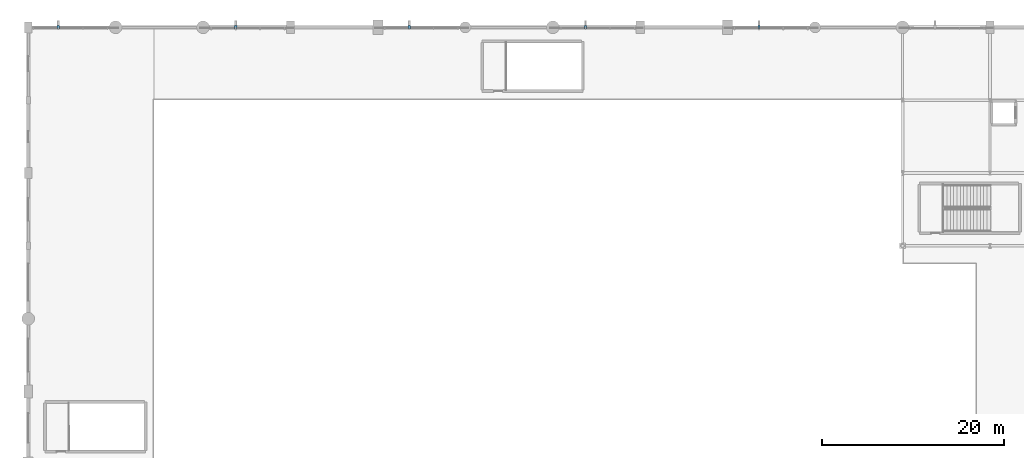
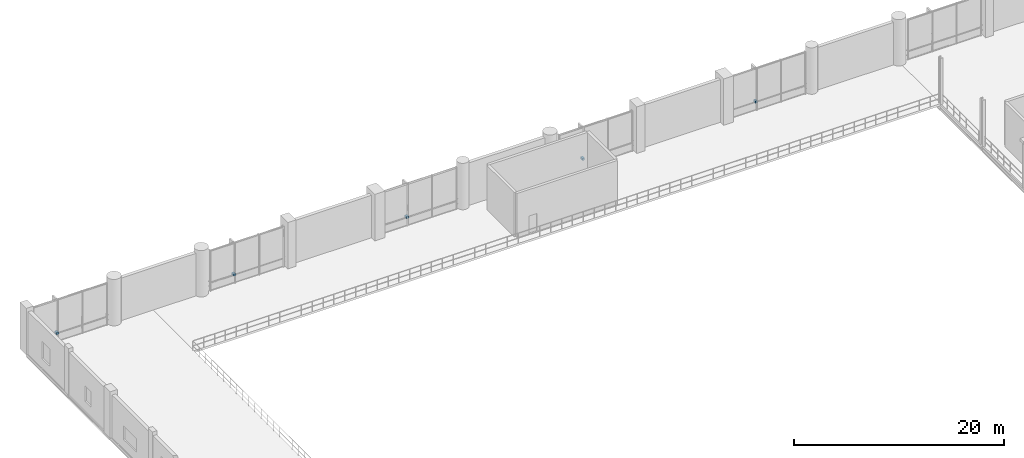
# One storey, part 99 of 129: 5 discrete accessories.
"""IFC4 building model written with IfcOpenShell, lengths in metres."""

from ifc_helpers import new_model, si_unit, direction, frame, origin, origin_2d, place, context, subcontext, project, spatial, rectangle, extrude, material, type_object, element, save


model = new_model("IFC4")

# Units and contexts
model_context = context("Model", 3, precision=1e-05, world=origin(), true_north=direction((0.0, 1.0)))
body_context = subcontext(model_context, "Body", "Model", "MODEL_VIEW")
ifc_project = project(units=[si_unit("LENGTHUNIT", "METRE"), si_unit("AREAUNIT", "SQUARE_METRE"), si_unit("VOLUMEUNIT", "CUBIC_METRE"), si_unit("PLANEANGLEUNIT", "RADIAN"), si_unit("MASSUNIT", "GRAM", prefix="KILO")], contexts=[model_context])

# Site, building, storey
site_placement = place(None, origin())
site = spatial("IfcSite", under=ifc_project, at=site_placement, CompositionType="ELEMENT")
building_placement = place(site_placement, origin())
building = spatial("IfcBuilding", under=site, at=building_placement, Name="Danafjord Basin Convention Centre", CompositionType="ELEMENT")
storey_placement = place(building_placement, frame((0.0, 0.0, 6.0)))
storey = spatial("IfcBuildingStorey", under=building, at=storey_placement, Name="L01", CompositionType="ELEMENT", Elevation=6.0)

# Discrete accessories
ifc_material = material(Name="Stainless steel EN 1.4404", Category="steel")
discrete_accessory_type = type_object("IfcDiscreteAccessoryType", Name="ACC-FIN-BRK", PredefinedType="BRACKET", material=ifc_material)
for number, where, z_axis, x_axis, name in (
    (1, (3.300048828125, 144.0, 0.830078125), (0.0, 0.0, 1.0), (1.0, 0.0, 0.0), "Solar fin stainless-steel mounting bracket"),
    (2, (22.783203125, 144.0, 0.830078125), (0.0, 0.0, 1.0), (1.0, 0.0, 0.0), "Solar fin stainless-steel mounting bracket"),
    (3, (41.833251953125, 144.0, 0.830078125), (0.0, 0.0, 1.0), (1.0, 0.0, 0.0), "Solar fin stainless-steel mounting bracket"),
    (4, (61.183349609375, 144.0, 0.830078125), (0.0, 0.0, 1.0), (1.0, 0.0, 0.0), "Solar fin stainless-steel mounting bracket"),
    (5, (80.2333984375, 144.0, 0.830078125), (0.0, 0.0, 1.0), (1.0, 0.0, 0.0), "Solar fin stainless-steel mounting bracket"),
):
    element("IfcDiscreteAccessory", number, at=place(storey_placement, frame(where, z_axis=z_axis, x_axis=x_axis)), inside=storey, type_object=discrete_accessory_type, Name=name, PredefinedType="BRACKET", context=body_context, shape_type="SweptSolid", body=[
        extrude(rectangle(XDim=0.239990234375, YDim=0.360107421875, at=origin_2d()), origin(), (0.0, 0.0, 1.0), 0.239990234375),
    ])

save(model, "model.ifc")
